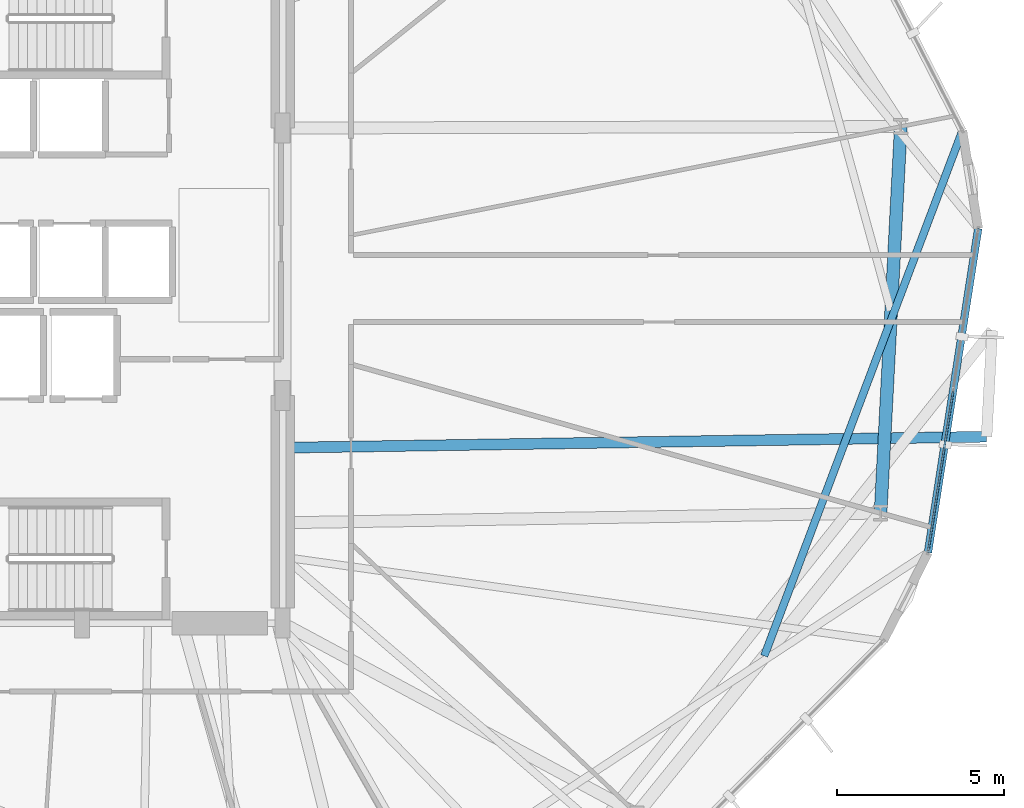
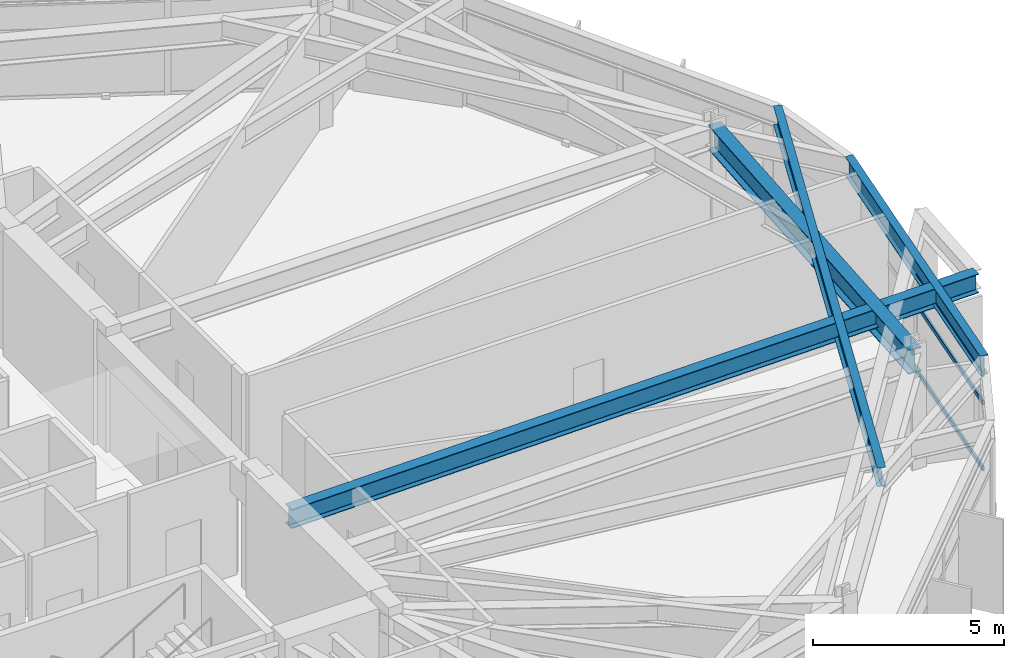
# One storey, part 10 of 23: 4 beams, 3 members, 1 element without a shape of its own.
"""IFC4 building model written with IfcOpenShell, lengths in metres."""

from ifc_helpers import new_model, si_unit, direction, frame, origin, origin_2d, place, context, subcontext, project, spatial, hollow_rectangle, i_section, extrude, material, layer, layer_set, material_profile, profile_set, type_object, element, aggregate, save


model = new_model("IFC4")

# Units and contexts
model_context = context("Model", 3, precision=1e-05, world=origin(), true_north=direction((0.0, 1.0)))
body_context = subcontext(model_context, "Body", "Model", "MODEL_VIEW")
ifc_project = project(units=[si_unit("LENGTHUNIT", "METRE"), si_unit("AREAUNIT", "SQUARE_METRE"), si_unit("VOLUMEUNIT", "CUBIC_METRE"), si_unit("PLANEANGLEUNIT", "RADIAN"), si_unit("MASSUNIT", "GRAM", prefix="KILO")], contexts=[model_context])

# Site, building, storey
site_placement = place(None, origin())
site = spatial("IfcSite", under=ifc_project, at=site_placement, CompositionType="ELEMENT")
building_placement = place(site_placement, origin())
building = spatial("IfcBuilding", under=site, at=building_placement, Name="Soratama Intermodal Tower", CompositionType="ELEMENT")
storey_placement = place(building_placement, frame((0.0, 0.0, 62.60009765625)))
storey = spatial("IfcBuildingStorey", under=building, at=storey_placement, Name="L14", CompositionType="ELEMENT", Elevation=62.60009765625)

# Beams
ifc_material_1 = material(Name="Structural steel ASTM A992 Grade 50", Category="steel")
ifc_material_profile_1 = material_profile(ifc_material_1, i_section(OverallWidth=0.324951171875, OverallDepth=0.615966796875, WebThickness=0.013916015625, FlangeThickness=0.021484375, FilletRadius=0.013916015625, at=origin_2d()), Name="W24X117")
ifc_profile_set_1 = profile_set([ifc_material_profile_1], Name="Structural steel ASTM A992 Grade 50")
beam_type_1 = type_object("IfcBeamType", Name="BM-CANT-W24X117", PredefinedType="BEAM", material=ifc_profile_set_1)
beam_1_placement = place(storey_placement, frame((44.639892578125, 20.243896484375, 3.391845703125), z_axis=(0.999877295935, 0.015665027079, 0.0), x_axis=(-0.015665027079, 0.999877295935, 0.0)))
element("IfcBeam", 1, at=beam_1_placement, inside=storey, type_object=beam_type_1, Name="BM-L14-CANT-1-1", PredefinedType="BEAM", context=body_context, shape_type="SweptSolid", body=[
    extrude(i_section(OverallWidth=0.324951171875, OverallDepth=0.615966796875, WebThickness=0.013916015625, FlangeThickness=0.021484375, FilletRadius=0.013916015625, at=origin_2d()), origin(), (0.0, 0.0, 1.0), 21.0087890625),
])
ifc_material_2 = material(Name="Structural steel ASTM A992 Grade 50", Category="steel")
ifc_material_profile_2 = material_profile(ifc_material_2, i_section(OverallWidth=0.382080078125, OverallDepth=0.779052734375, WebThickness=0.01806640625, FlangeThickness=0.030029296875, FilletRadius=0.01806640625, at=origin_2d()), Name="W30X191")
ifc_profile_set_2 = profile_set([ifc_material_profile_2], Name="Structural steel ASTM A992 Grade 50")
beam_type_2 = type_object("IfcBeamType", Name="BM-RING-W30X191", PredefinedType="BEAM", material=ifc_profile_set_2)
beam_2_placement = place(storey_placement, frame((62.47705078125, 18.291015625, 3.310302734375), z_axis=(0.052289698717, 0.998631957935, 0.0), x_axis=(-0.998631957935, 0.052289698717, 0.0)))
element("IfcBeam", 2, at=beam_2_placement, inside=storey, type_object=beam_type_2, Name="BM-L14-RING-10", PredefinedType="BEAM", context=body_context, shape_type="SweptSolid", body=[
    extrude(i_section(OverallWidth=0.382080078125, OverallDepth=0.779052734375, WebThickness=0.01806640625, FlangeThickness=0.030029296875, FilletRadius=0.01806640625, at=origin_2d()), origin(), (0.0, 0.0, 1.0), 11.56982421875),
])
ifc_material_3 = material(Name="Structural steel ASTM A992 Grade 50", Category="steel")
ifc_material_profile_3 = material_profile(ifc_material_3, i_section(OverallWidth=0.22900390625, OverallDepth=0.612060546875, WebThickness=0.011962890625, FlangeThickness=0.01953125, FilletRadius=0.012939453125, at=origin_2d()), Name="W24X84")
ifc_profile_set_3 = profile_set([ifc_material_profile_3], Name="Structural steel ASTM A992 Grade 50")
beam_type_3 = type_object("IfcBeamType", Name="BM-SPN-W24X84", PredefinedType="SPANDREL", material=ifc_profile_set_3)
beam_3_placement = place(storey_placement, frame((63.89404296875, 17.110107421875, 3.393798828125), z_axis=(0.153363754073, 0.988169802684, 0.0), x_axis=(-0.988169802684, 0.153363754073, 0.0)))
element("IfcBeam", 3, at=beam_3_placement, inside=storey, type_object=beam_type_3, Name="BS-L14-F10", PredefinedType="SPANDREL", context=body_context, shape_type="SweptSolid", body=[
    extrude(i_section(OverallWidth=0.22900390625, OverallDepth=0.612060546875, WebThickness=0.011962890625, FlangeThickness=0.01953125, FilletRadius=0.012939453125, at=origin_2d()), origin(), (0.0, 0.0, 1.0), 9.7998046875),
])
ifc_material_4 = material(Name="Structural steel ASTM A992 Grade 50", Category="steel")
ifc_material_profile_4 = material_profile(ifc_material_4, i_section(OverallWidth=0.22900390625, OverallDepth=0.612060546875, WebThickness=0.011962890625, FlangeThickness=0.01953125, FilletRadius=0.012939453125, at=origin_2d()), Name="W24X84")
ifc_profile_set_4 = profile_set([ifc_material_profile_4], Name="Structural steel ASTM A992 Grade 50")
beam_type_4 = type_object("IfcBeamType", Name="BM-TIE-W24X84", PredefinedType="BEAM", material=ifc_profile_set_4)
beam_4_placement = place(storey_placement, frame((59.0, 14.01904296875, 3.393798828125), z_axis=(0.352976765788, 0.935632087315, 0.0), x_axis=(-0.935632087315, 0.352976765788, 0.0)))
element("IfcBeam", 4, at=beam_4_placement, inside=storey, type_object=beam_type_4, Name="BM-L14-TIE0-01", PredefinedType="BEAM", context=body_context, shape_type="SweptSolid", body=[
    extrude(i_section(OverallWidth=0.22900390625, OverallDepth=0.612060546875, WebThickness=0.011962890625, FlangeThickness=0.01953125, FilletRadius=0.012939453125, at=origin_2d()), origin(), (0.0, 0.0, 1.0), 16.783203125),
])

# Curtain wall, members
ifc_material_5 = material(Name="Double-glazed aluminium curtain wall", Category="aluminium")
ifc_layer = layer(ifc_material_5, 0.159912109375)
ifc_layer_set = layer_set([ifc_layer], Name="Double-glazed aluminium curtain wall")
curtain_wall_type = type_object("IfcCurtainWallType", Name="CW-SYS-2", PredefinedType="NOTDEFINED", material=ifc_layer_set)
curtain_wall_placement = place(storey_placement, origin())
curtain_wall = element("IfcCurtainWall", 5, at=curtain_wall_placement, inside=storey, type_object=curtain_wall_type, Name="L14 Faceted Curtain Wall F10", PredefinedType="NOTDEFINED")
ifc_material_6 = material(Name="Anodised aluminium AA 6063-T6", Category="aluminium")
ifc_material_profile_5 = material_profile(ifc_material_6, hollow_rectangle(XDim=0.06494140625, YDim=0.14990234375, WallThickness=0.0048828125, InnerFilletRadius=0.0048828125, OuterFilletRadius=0.010009765625, at=origin_2d()), Name="CWT150X65X5")
ifc_profile_set_5 = profile_set([ifc_material_profile_5], Name="Anodised aluminium AA 6063-T6")
member_type = type_object("IfcMemberType", Name="TT-CWT-1", PredefinedType="USERDEFINED", material=ifc_profile_set_5)
member_1_placement = place(storey_placement, frame((63.9033203125, 17.1689453125, 0.02978515625), z_axis=(0.153334766233, 0.988174301156, 0.0), x_axis=(-0.988174301156, 0.153334766233, 0.0)))
member_1 = element("IfcMember", 6, at=member_1_placement, type_object=member_type, Name="CW-2 transom 1.1", ObjectType="TRANSOM", PredefinedType="USERDEFINED", context=body_context, shape_type="SweptSolid", body=[
    extrude(hollow_rectangle(XDim=0.06494140625, YDim=0.14990234375, WallThickness=0.0048828125, InnerFilletRadius=0.0048828125, OuterFilletRadius=0.010009765625, at=origin_2d()), origin(), (0.0, 0.0, 1.0), 4.81005859375),
])
member_2_placement = place(storey_placement, frame((63.9033203125, 17.1689453125, 2.14990234375), z_axis=(0.153334766233, 0.988174301156, 0.0), x_axis=(-0.988174301156, 0.153334766233, 0.0)))
member_2 = element("IfcMember", 7, at=member_2_placement, type_object=member_type, Name="CW-2 transom 1.2", ObjectType="TRANSOM", PredefinedType="USERDEFINED", context=body_context, shape_type="SweptSolid", body=[
    extrude(hollow_rectangle(XDim=0.06494140625, YDim=0.14990234375, WallThickness=0.0048828125, InnerFilletRadius=0.0048828125, OuterFilletRadius=0.010009765625, at=origin_2d()), origin(), (0.0, 0.0, 1.0), 4.81005859375),
])
member_3_placement = place(storey_placement, frame((63.9033203125, 17.1689453125, 3.048828125), z_axis=(0.153334766233, 0.988174301156, 0.0), x_axis=(-0.988174301156, 0.153334766233, 0.0)))
member_3 = element("IfcMember", 8, at=member_3_placement, type_object=member_type, Name="CW-2 transom 1.3", ObjectType="TRANSOM", PredefinedType="USERDEFINED", context=body_context, shape_type="SweptSolid", body=[
    extrude(hollow_rectangle(XDim=0.06494140625, YDim=0.14990234375, WallThickness=0.0048828125, InnerFilletRadius=0.0048828125, OuterFilletRadius=0.010009765625, at=origin_2d()), origin(), (0.0, 0.0, 1.0), 4.81005859375),
])
aggregate(curtain_wall, [member_1, member_2, member_3])

save(model, "model.ifc")
